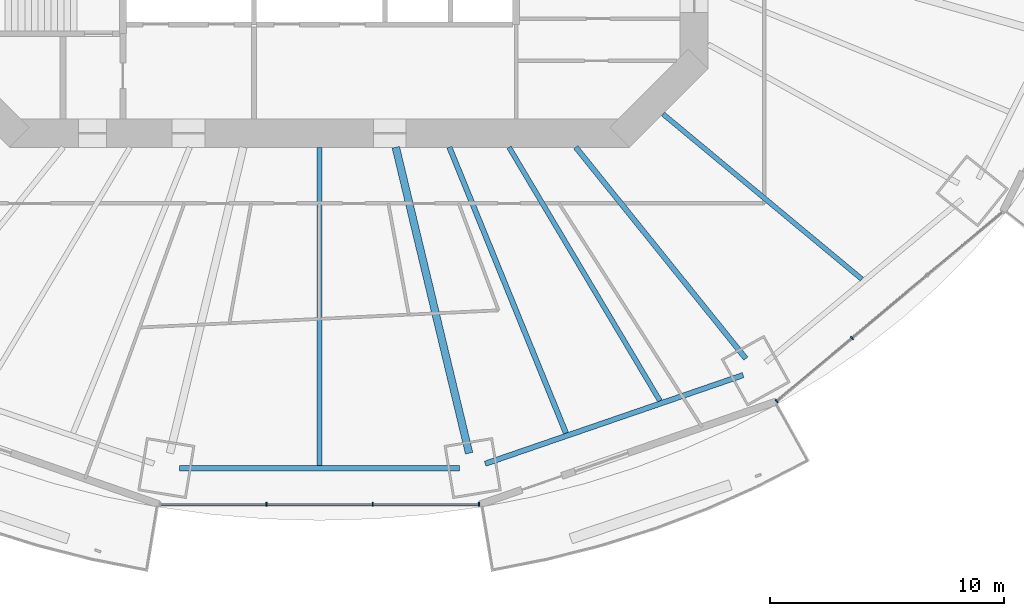
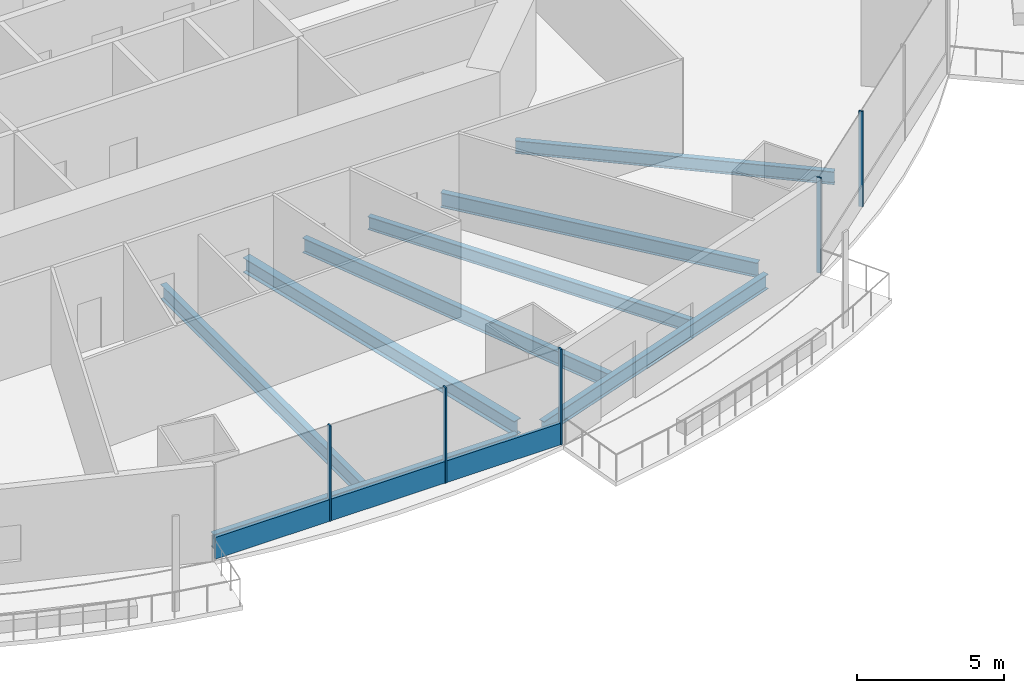
# One storey, part 4 of 22: 8 beams, 6 members, 2 elements without a shape of their own.
"""IFC4 building model written with IfcOpenShell, lengths in metres."""

from ifc_helpers import new_model, si_unit, direction, frame, origin, origin_2d, place, context, subcontext, project, spatial, rectangle, i_section, extrude, material, material_profile, profile_set, type_object, element, aggregate, save


model = new_model("IFC4")

# Units and contexts
model_context = context("Model", 3, precision=1e-05, world=origin(), true_north=direction((0.0, 1.0)))
body_context = subcontext(model_context, "Body", "Model", "MODEL_VIEW")
ifc_project = project(units=[si_unit("LENGTHUNIT", "METRE"), si_unit("AREAUNIT", "SQUARE_METRE"), si_unit("VOLUMEUNIT", "CUBIC_METRE"), si_unit("PLANEANGLEUNIT", "RADIAN"), si_unit("MASSUNIT", "GRAM", prefix="KILO")], contexts=[model_context])

# Site, building, storey
site_placement = place(None, origin())
site = spatial("IfcSite", under=ifc_project, at=site_placement, CompositionType="ELEMENT")
building_placement = place(site_placement, origin())
building = spatial("IfcBuilding", under=site, at=building_placement, Name="Marenthal Gate Tower", CompositionType="ELEMENT")
storey_placement = place(building_placement, frame((0.0, 0.0, 82.800048828125)))
storey = spatial("IfcBuildingStorey", under=building, at=storey_placement, Name="L16", CompositionType="ELEMENT", Elevation=82.800048828125)

# Curtain wall, members
ifc_material_1 = material(Name="Aluminium and glass", Category="aluminium")
curtain_wall_type = type_object("IfcCurtainWallType", Name="Curtain wall typical low", PredefinedType="NOTDEFINED", material=ifc_material_1)
curtain_wall_1_placement = place(storey_placement, origin())
curtain_wall_1 = element("IfcCurtainWall", 1, at=curtain_wall_1_placement, inside=storey, type_object=curtain_wall_type, Name="Curtain wall L16 bay 12", PredefinedType="NOTDEFINED")
ifc_material_2 = material(Name="Aluminium", Category="aluminium")
ifc_material_profile_1 = material_profile(ifc_material_2, rectangle(XDim=0.159912109375, YDim=0.06005859375, at=origin_2d()), Name="60x160 aluminium mullion")
ifc_profile_set_1 = profile_set([ifc_material_profile_1], Name="Aluminium")
member_type_1 = type_object("IfcMemberType", Name="Mullion 60x160 typical low", PredefinedType="MULLION", material=ifc_profile_set_1)
member_1_placement = place(storey_placement, frame((-2.273193359375, -28.852783203125, 0.0), z_axis=(0.0, 0.0, 1.0), x_axis=(0.0, 1.0, 0.0)))
member_1 = element("IfcMember", 2, at=member_1_placement, type_object=member_type_1, Name="Mullion L16 bay 12.2", PredefinedType="MULLION", context=body_context, shape_type="SweptSolid", body=[
    extrude(rectangle(XDim=0.159912109375, YDim=0.06005859375, at=origin_2d()), origin(), (0.0, 0.0, 1.0), 3.969970703125),
])
member_2_placement = place(storey_placement, frame((2.273193359375, -28.852783203125, 0.0), z_axis=(0.0, 0.0, 1.0), x_axis=(0.0, 1.0, 0.0)))
member_2 = element("IfcMember", 3, at=member_2_placement, type_object=member_type_1, Name="Mullion L16 bay 12.3", PredefinedType="MULLION", context=body_context, shape_type="SweptSolid", body=[
    extrude(rectangle(XDim=0.159912109375, YDim=0.06005859375, at=origin_2d()), origin(), (0.0, 0.0, 1.0), 3.969970703125),
])
member_3_placement = place(storey_placement, frame((6.81982421875, -28.852783203125, 0.0), z_axis=(0.0, 0.0, 1.0), x_axis=(0.0, 1.0, 0.0)))
member_3 = element("IfcMember", 4, at=member_3_placement, type_object=member_type_1, Name="Mullion L16 bay 12.4", PredefinedType="MULLION", context=body_context, shape_type="SweptSolid", body=[
    extrude(rectangle(XDim=0.159912109375, YDim=0.06005859375, at=origin_2d()), origin(), (0.0, 0.0, 1.0), 3.969970703125),
])

curtain_wall_2_placement = place(storey_placement, origin())
curtain_wall_2 = element("IfcCurtainWall", 5, at=curtain_wall_2_placement, inside=storey, type_object=curtain_wall_type, Name="Curtain wall L16 bay 14", PredefinedType="NOTDEFINED")
member_4_placement = place(storey_placement, frame((19.529541015625, -24.44091796875, 0.0), z_axis=(0.0, 0.0, 1.0), x_axis=(-0.642228281301, 0.766513427604, 0.0)))
member_4 = element("IfcMember", 6, at=member_4_placement, type_object=member_type_1, Name="Mullion L16 bay 14.1", PredefinedType="MULLION", context=body_context, shape_type="SweptSolid", body=[
    extrude(rectangle(XDim=0.159912109375, YDim=0.06005859375, at=origin_2d()), origin(), (0.0, 0.0, 1.0), 3.969970703125),
])
member_5_placement = place(storey_placement, frame((22.7431640625, -21.748291015625, 0.0), z_axis=(0.0, 0.0, 1.0), x_axis=(-0.642228281301, 0.766513427604, 0.0)))
member_5 = element("IfcMember", 7, at=member_5_placement, type_object=member_type_1, Name="Mullion L16 bay 14.2", PredefinedType="MULLION", context=body_context, shape_type="SweptSolid", body=[
    extrude(rectangle(XDim=0.159912109375, YDim=0.06005859375, at=origin_2d()), origin(), (0.0, 0.0, 1.0), 3.969970703125),
])
aggregate(curtain_wall_2, [member_4, member_5])

# Member
ifc_material_3 = material(Name="Aluminium", Category="aluminium")
ifc_material_profile_2 = material_profile(ifc_material_3, rectangle(XDim=0.1201171875, YDim=0.89990234375, at=origin_2d()), Name="120x900 aluminium transom")
ifc_profile_set_2 = profile_set([ifc_material_profile_2], Name="Aluminium")
member_type_2 = type_object("IfcMemberType", Name="Transom 120x900 typical low", PredefinedType="USERDEFINED", material=ifc_profile_set_2)
member_6_placement = place(storey_placement, frame((-6.789794921875, -28.852783203125, 0.449951171875), z_axis=(1.0, 0.0, 0.0), x_axis=(0.0, 1.0, 0.0)))
member_6 = element("IfcMember", 8, at=member_6_placement, type_object=member_type_2, Name="Transom L16 bay 12", ObjectType="TRANSOM", PredefinedType="USERDEFINED", context=body_context, shape_type="SweptSolid", body=[
    extrude(rectangle(XDim=0.1201171875, YDim=0.89990234375, at=origin_2d()), origin(), (0.0, 0.0, 1.0), 13.57958984375),
])

aggregate(curtain_wall_1, [member_1, member_2, member_3, member_6])

# Beams
ifc_material_4 = material(Name="Steel S355", Category="steel")
ifc_material_profile_3 = material_profile(ifc_material_4, i_section(OverallWidth=0.2099609375, OverallDepth=0.535888671875, WebThickness=0.010986328125, FlangeThickness=0.017333984375, FilletRadius=0.0126953125, at=origin_2d()), Name="W530X101")
ifc_profile_set_3 = profile_set([ifc_material_profile_3], Name="Steel S355")
beam_type_1 = type_object("IfcBeamType", Name="W530X101 beam", PredefinedType="BEAM", material=ifc_profile_set_3)
beam_1_placement = place(storey_placement, frame((23.164794921875, -19.23193359375, -0.447998046875), z_axis=(-0.769390815443, 0.638778344273, 0.0), x_axis=(-0.638778344273, -0.769390815443, 0.0)))
element("IfcBeam", 9, at=beam_1_placement, inside=storey, type_object=beam_type_1, Name="BM-L16-37", PredefinedType="BEAM", context=body_context, shape_type="SweptSolid", body=[
    extrude(i_section(OverallWidth=0.2099609375, OverallDepth=0.535888671875, WebThickness=0.010986328125, FlangeThickness=0.017333984375, FilletRadius=0.0126953125, at=origin_2d()), origin(), (0.0, 0.0, 1.0), 11.041259765625),
])
ifc_material_5 = material(Name="Steel S355", Category="steel")
ifc_material_profile_4 = material_profile(ifc_material_5, i_section(OverallWidth=0.2119140625, OverallDepth=0.5439453125, WebThickness=0.01318359375, FlangeThickness=0.021240234375, FilletRadius=0.0126953125, at=origin_2d()), Name="W530X123")
ifc_profile_set_4 = profile_set([ifc_material_profile_4], Name="Steel S355")
beam_type_2 = type_object("IfcBeamType", Name="W530X123 beam", PredefinedType="BEAM", material=ifc_profile_set_4)
beam_2_placement = place(storey_placement, frame((14.539794921875, -24.431396484375, -0.4521484375), z_axis=(-0.511416092882, 0.859333218223, 0.0), x_axis=(-0.859333218223, -0.511416092882, 0.0)))
element("IfcBeam", 10, at=beam_2_placement, inside=storey, type_object=beam_type_2, Name="BM-L16-36", PredefinedType="BEAM", context=body_context, shape_type="SweptSolid", body=[
    extrude(i_section(OverallWidth=0.2119140625, OverallDepth=0.5439453125, WebThickness=0.01318359375, FlangeThickness=0.021240234375, FilletRadius=0.0126953125, at=origin_2d()), origin(), (0.0, 0.0, 1.0), 12.604248046875),
])
ifc_material_6 = material(Name="Steel S355", Category="steel")
ifc_material_profile_5 = material_profile(ifc_material_6, i_section(OverallWidth=0.22900390625, OverallDepth=0.612060546875, WebThickness=0.011962890625, FlangeThickness=0.01953125, FilletRadius=0.0126953125, at=origin_2d()), Name="W610X125")
ifc_profile_set_5 = profile_set([ifc_material_profile_5], Name="Steel S355")
beam_type_3 = type_object("IfcBeamType", Name="W610X125 beam", PredefinedType="BEAM", material=ifc_profile_set_5)
beam_3_placement = place(storey_placement, frame((18.210693359375, -22.626708984375, -0.486083984375), z_axis=(-0.626999737325, 0.779019466634, 0.0), x_axis=(-0.779019466634, -0.626999737325, 0.0)))
element("IfcBeam", 11, at=beam_3_placement, inside=storey, type_object=beam_type_3, Name="BM-L16-14", PredefinedType="BEAM", context=body_context, shape_type="SweptSolid", body=[
    extrude(i_section(OverallWidth=0.22900390625, OverallDepth=0.612060546875, WebThickness=0.011962890625, FlangeThickness=0.01953125, FilletRadius=0.0126953125, at=origin_2d()), origin(), (0.0, 0.0, 1.0), 11.587158203125),
])
beam_4_placement = place(storey_placement, frame((0.0, -27.188720703125, -0.486083984375), z_axis=(0.0, 1.0, 0.0), x_axis=(-1.0, 0.0, 0.0)))
element("IfcBeam", 12, at=beam_4_placement, inside=storey, type_object=beam_type_3, Name="BM-L16-34", PredefinedType="BEAM", context=body_context, shape_type="SweptSolid", body=[
    extrude(i_section(OverallWidth=0.22900390625, OverallDepth=0.612060546875, WebThickness=0.011962890625, FlangeThickness=0.01953125, FilletRadius=0.0126953125, at=origin_2d()), origin(), (0.0, 0.0, 1.0), 13.588623046875),
])
beam_5_placement = place(storey_placement, frame((10.52734375, -25.811279296875, -0.486083984375), z_axis=(-0.377657332002, 0.925945430134, 0.0), x_axis=(-0.925945430134, -0.377657332002, 0.0)))
element("IfcBeam", 13, at=beam_5_placement, inside=storey, type_object=beam_type_3, Name="BM-L16-35", PredefinedType="BEAM", context=body_context, shape_type="SweptSolid", body=[
    extrude(i_section(OverallWidth=0.22900390625, OverallDepth=0.612060546875, WebThickness=0.011962890625, FlangeThickness=0.01953125, FilletRadius=0.0126953125, at=origin_2d()), origin(), (0.0, 0.0, 1.0), 13.187744140625),
])
beam_6_placement = place(storey_placement, frame((-5.977294921875, -27.302978515625, -0.486083984375), z_axis=(1.0, 0.0, 0.0), x_axis=(0.0, 1.0, 0.0)))
element("IfcBeam", 14, at=beam_6_placement, inside=storey, type_object=beam_type_3, Name="BM-L16-52", PredefinedType="BEAM", context=body_context, shape_type="SweptSolid", body=[
    extrude(i_section(OverallWidth=0.22900390625, OverallDepth=0.612060546875, WebThickness=0.011962890625, FlangeThickness=0.01953125, FilletRadius=0.0126953125, at=origin_2d()), origin(), (0.0, 0.0, 1.0), 11.95458984375),
])
beam_7_placement = place(storey_placement, frame((7.07568359375, -27.119384765625, -0.486083984375), z_axis=(0.945652773526, 0.32517815413, 0.0), x_axis=(-0.32517815413, 0.945652773526, 0.0)))
element("IfcBeam", 15, at=beam_7_placement, inside=storey, type_object=beam_type_3, Name="BM-L16-53", PredefinedType="BEAM", context=body_context, shape_type="SweptSolid", body=[
    extrude(i_section(OverallWidth=0.22900390625, OverallDepth=0.612060546875, WebThickness=0.011962890625, FlangeThickness=0.01953125, FilletRadius=0.0126953125, at=origin_2d()), origin(), (0.0, 0.0, 1.0), 11.65087890625),
])
ifc_material_7 = material(Name="Steel S355", Category="steel")
ifc_material_profile_6 = material_profile(ifc_material_7, i_section(OverallWidth=0.324951171875, OverallDepth=0.612060546875, WebThickness=0.0126953125, FlangeThickness=0.01904296875, FilletRadius=0.0126953125, at=origin_2d()), Name="W610X155")
ifc_profile_set_6 = profile_set([ifc_material_profile_6], Name="Steel S355")
beam_type_4 = type_object("IfcBeamType", Name="W610X155 beam", PredefinedType="BEAM", material=ifc_profile_set_6)
beam_8_placement = place(storey_placement, frame((6.389404296875, -26.668212890625, -0.486083984375), z_axis=(-0.233003942161, 0.972475790412, 0.0), x_axis=(-0.972475790412, -0.233003942161, 0.0)))
element("IfcBeam", 16, at=beam_8_placement, inside=storey, type_object=beam_type_4, Name="BM-L16-13", PredefinedType="BEAM", context=body_context, shape_type="SweptSolid", body=[
    extrude(i_section(OverallWidth=0.324951171875, OverallDepth=0.612060546875, WebThickness=0.0126953125, FlangeThickness=0.01904296875, FilletRadius=0.0126953125, at=origin_2d()), origin(), (0.0, 0.0, 1.0), 13.43798828125),
])

save(model, "model.ifc")
